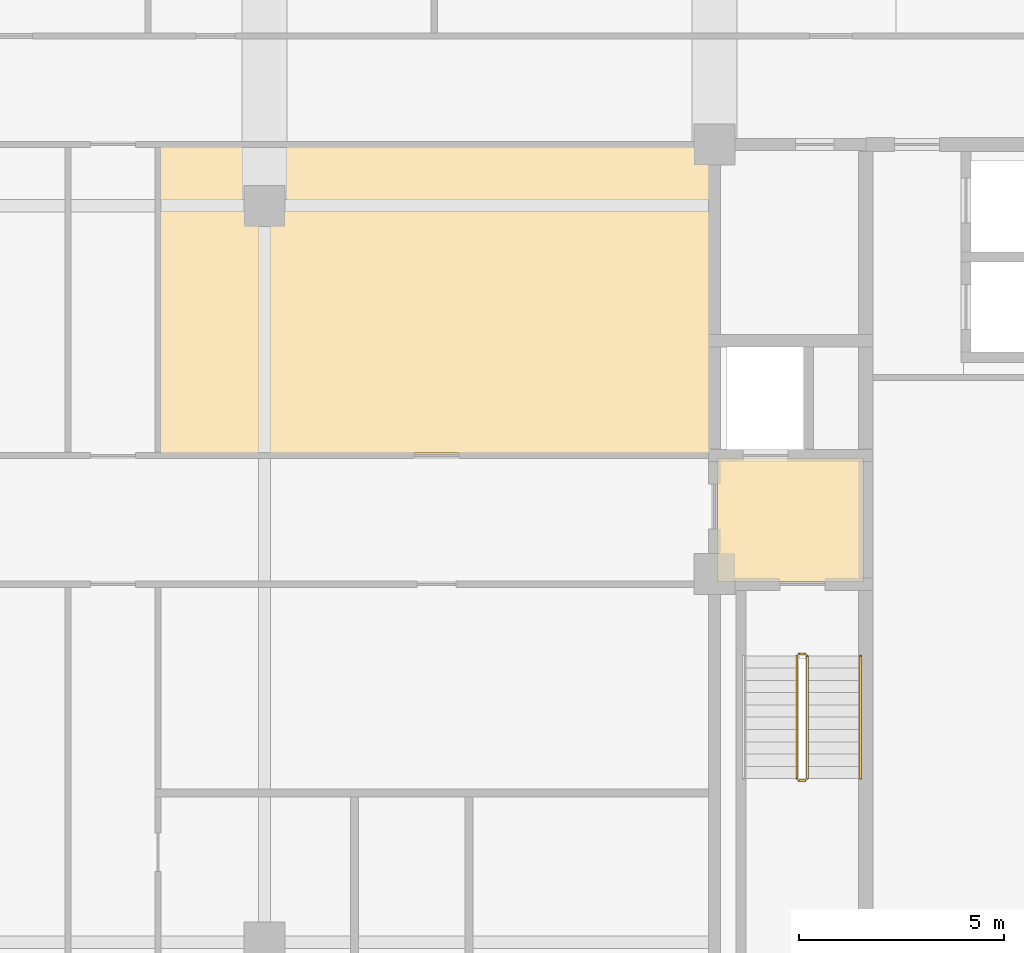
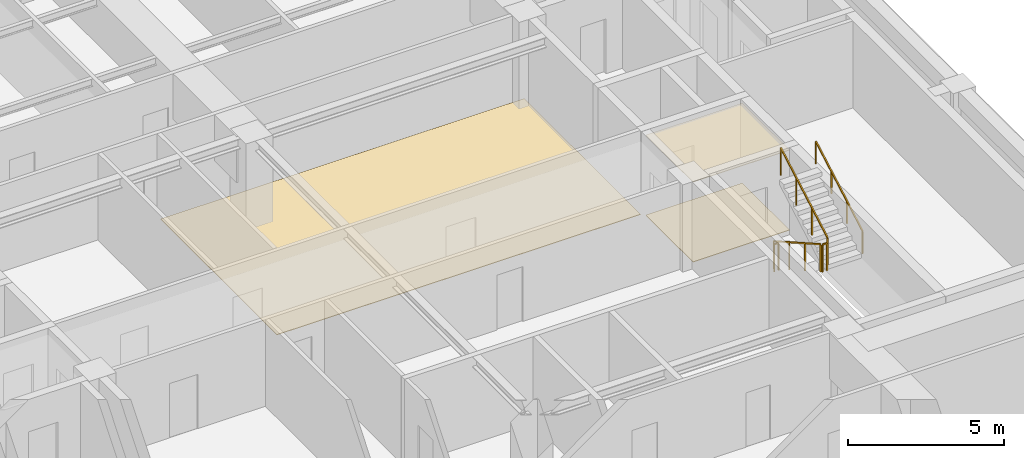
# One storey, part 10 of 11: 5 railings, 3 coverings.
"""IFC4 building model written with IfcOpenShell, lengths in metres."""

from ifc_helpers import new_model, si_unit, direction, frame, origin, origin_2d, place, context, subcontext, project, spatial, polyline, rectangle, outline, extrude, material, layer, layer_set, type_object, element, save


model = new_model("IFC4")

# Units and contexts
model_context = context("Model", 3, precision=1e-05, world=origin(), true_north=direction((0.0, 1.0)))
body_context = subcontext(model_context, "Body", "Model", "MODEL_VIEW")
ifc_project = project(units=[si_unit("LENGTHUNIT", "METRE"), si_unit("AREAUNIT", "SQUARE_METRE"), si_unit("VOLUMEUNIT", "CUBIC_METRE"), si_unit("PLANEANGLEUNIT", "RADIAN"), si_unit("MASSUNIT", "GRAM", prefix="KILO")], contexts=[model_context])

# Site, building, storey
site_placement = place(None, origin())
site = spatial("IfcSite", under=ifc_project, at=site_placement, CompositionType="ELEMENT")
building_placement = place(site_placement, origin())
building = spatial("IfcBuilding", under=site, at=building_placement, Name="Zulmaris Gate Convention Tower", CompositionType="ELEMENT")
storey_placement = place(building_placement, frame((0.0, 0.0, 278.06005859375)))
storey = spatial("IfcBuildingStorey", under=building, at=storey_placement, Name="L74", CompositionType="ELEMENT", Elevation=278.06005859375)

# Coverings
ifc_material_1 = material(Name="Mineral Fibre Acoustic Ceiling Tile")
ifc_layer_1 = layer(ifc_material_1, 0.02001953125, Name="Mineral Fibre Acoustic Ceiling Tile")
ifc_layer_set_1 = layer_set([ifc_layer_1], Name="Mineral Fibre Acoustic Ceiling Tile")
covering_type_1 = type_object("IfcCoveringType", Name="CLG-ACOUSTIC-600", PredefinedType="CEILING", material=ifc_layer_set_1)
covering_1_placement = place(storey_placement, frame((0.0, 0.0, 3.135009765625)))
element("IfcCovering", 1, at=covering_1_placement, inside=storey, type_object=covering_type_1, Name="CLG-L74-R08", PredefinedType="CEILING", context=body_context, shape_type="SweptSolid", body=[
    extrude(outline(polyline([(11.06005859375, -0.18994140625), (14.639892578125, -0.18994140625), (14.639892578125, 2.840087890625), (11.06005859375, 2.840087890625), (11.06005859375, -0.18994140625)])), origin(), (0.0, 0.0, 1.0), 0.02001953125),
])
ifc_material_2 = material(Name="Woven Acoustic Wool Carpet Tile")
ifc_layer_2 = layer(ifc_material_2, 0.02001953125, Name="Woven Acoustic Wool Carpet Tile")
ifc_layer_set_2 = layer_set([ifc_layer_2], Name="Woven Acoustic Wool Carpet Tile")
covering_type_2 = type_object("IfcCoveringType", Name="FLR-CARPET-12", PredefinedType="FLOORING", material=ifc_layer_set_2)
covering_2_placement = place(storey_placement, origin())
element("IfcCovering", 2, at=covering_2_placement, inside=storey, type_object=covering_type_2, Name="FLR-L74-R08", PredefinedType="FLOORING", context=body_context, shape_type="SweptSolid", body=[
    extrude(outline(polyline([(11.06005859375, -0.18994140625), (14.639892578125, -0.18994140625), (14.639892578125, 2.840087890625), (11.06005859375, 2.840087890625), (11.06005859375, -0.18994140625)])), origin(), (0.0, 0.0, 1.0), 0.02001953125),
])
covering_3_placement = place(storey_placement, origin())
element("IfcCovering", 3, at=covering_3_placement, inside=storey, type_object=covering_type_2, Name="FLR-L74-R40", PredefinedType="FLOORING", context=body_context, shape_type="SweptSolid", body=[
    extrude(outline(polyline([(-2.5400390625, 2.9599609375), (10.93994140625, 2.9599609375), (10.93994140625, 10.43994140625), (-2.5400390625, 10.43994140625), (-2.5400390625, 2.9599609375)])), origin(), (0.0, 0.0, 1.0), 0.02001953125),
])

# Railings
ifc_material_3 = material(Name="Painted Galvanised Steel", Category="steel")
railing_type_1 = type_object("IfcRailingType", Name="RL-STG-1150", PredefinedType="GUARDRAIL", material=ifc_material_3)
railing_1_placement = place(storey_placement, frame((13.010009765625, -2.0, 0.169921875)))
element("IfcRailing", 4, at=railing_1_placement, inside=storey, type_object=railing_type_1, Name="L74 ST-2 stair guard 1", PredefinedType="GUARDRAIL", context=body_context, shape_type="SweptSolid", body=[
    extrude(rectangle(XDim=0.048095703125, YDim=0.048095703125, at=origin_2d()), frame((0.0, 0.0, 1.076171875), z_axis=(0.0, -0.870028259722, 0.493001853226), x_axis=(1.0, 0.0, 0.0)), (0.0, 0.0, 1.0), 3.4482421875),
    extrude(rectangle(XDim=0.0419921875, YDim=0.0419921875, at=origin_2d()), origin(), (0.0, 0.0, 1.0), 1.052001953125),
    extrude(rectangle(XDim=0.0419921875, YDim=0.0419921875, at=origin_2d()), frame((0.0, -1.0, 0.566650390625)), (0.0, 0.0, 1.0), 1.052001953125),
    extrude(rectangle(XDim=0.0419921875, YDim=0.0419921875, at=origin_2d()), frame((0.0, -2.0, 1.13330078125)), (0.0, 0.0, 1.0), 1.052001953125),
    extrude(rectangle(XDim=0.0419921875, YDim=0.0419921875, at=origin_2d()), frame((0.0, -3.0, 1.699951171875)), (0.0, 0.0, 1.0), 1.052001953125),
])
railing_2_placement = place(storey_placement, frame((13.06005859375, -5.050048828125, 1.869873046875)))
element("IfcRailing", 5, at=railing_2_placement, inside=storey, type_object=railing_type_1, Name="L74 ST-2 stair guard 2", PredefinedType="GUARDRAIL", context=body_context, shape_type="SweptSolid", body=[
    extrude(rectangle(XDim=0.048095703125, YDim=0.048095703125, at=origin_2d()), frame((0.0, 0.0, 1.076171875), z_axis=(1.0, 0.0, 0.0), x_axis=(0.0, 1.0, 0.0)), (0.0, 0.0, 1.0), 0.159912109375),
    extrude(rectangle(XDim=0.0419921875, YDim=0.0419921875, at=origin_2d()), origin(), (0.0, 0.0, 1.0), 1.052001953125),
    extrude(rectangle(XDim=0.0419921875, YDim=0.0419921875, at=origin_2d()), frame((0.159912109375, 0.0, 0.0)), (0.0, 0.0, 1.0), 1.052001953125),
])
railing_3_placement = place(storey_placement, frame((13.27001953125, -5.0, 2.0400390625)))
element("IfcRailing", 6, at=railing_3_placement, inside=storey, type_object=railing_type_1, Name="L74 ST-2 stair guard 3", PredefinedType="GUARDRAIL", context=body_context, shape_type="SweptSolid", body=[
    extrude(rectangle(XDim=0.048095703125, YDim=0.048095703125, at=origin_2d()), frame((0.0, 0.0, 1.076171875), z_axis=(0.0, 0.870028259722, 0.493001853226), x_axis=(-1.0, 0.0, 0.0)), (0.0, 0.0, 1.0), 3.4482421875),
    extrude(rectangle(XDim=0.0419921875, YDim=0.0419921875, at=origin_2d()), origin(), (0.0, 0.0, 1.0), 1.052001953125),
    extrude(rectangle(XDim=0.0419921875, YDim=0.0419921875, at=origin_2d()), frame((0.0, 1.0, 0.566650390625)), (0.0, 0.0, 1.0), 1.052001953125),
    extrude(rectangle(XDim=0.0419921875, YDim=0.0419921875, at=origin_2d()), frame((0.0, 2.0, 1.13330078125)), (0.0, 0.0, 1.0), 1.052001953125),
    extrude(rectangle(XDim=0.0419921875, YDim=0.0419921875, at=origin_2d()), frame((0.0, 3.0, 1.699951171875)), (0.0, 0.0, 1.0), 1.052001953125),
])
railing_4_placement = place(storey_placement, frame((13.06005859375, -1.949951171875, 0.0)))
element("IfcRailing", 7, at=railing_4_placement, inside=storey, type_object=railing_type_1, Name="L74 ST-2 stair guard 4", PredefinedType="GUARDRAIL", context=body_context, shape_type="SweptSolid", body=[
    extrude(rectangle(XDim=0.048095703125, YDim=0.048095703125, at=origin_2d()), frame((0.0, 0.0, 1.076171875), z_axis=(1.0, 0.0, 0.0), x_axis=(0.0, 1.0, 0.0)), (0.0, 0.0, 1.0), 0.159912109375),
    extrude(rectangle(XDim=0.0419921875, YDim=0.0419921875, at=origin_2d()), origin(), (0.0, 0.0, 1.0), 1.052001953125),
    extrude(rectangle(XDim=0.0419921875, YDim=0.0419921875, at=origin_2d()), frame((0.159912109375, 0.0, 0.0)), (0.0, 0.0, 1.0), 1.052001953125),
])
ifc_material_4 = material(Name="Brushed Stainless Steel", Category="steel")
railing_type_2 = type_object("IfcRailingType", Name="RL-STH-900", PredefinedType="HANDRAIL", material=ifc_material_4)
railing_5_placement = place(storey_placement, frame((14.570068359375, -5.0, 2.0400390625)))
element("IfcRailing", 8, at=railing_5_placement, inside=storey, type_object=railing_type_2, Name="L74 ST-2 stair handrail 2", PredefinedType="HANDRAIL", context=body_context, shape_type="SweptSolid", body=[
    extrude(rectangle(XDim=0.048095703125, YDim=0.048095703125, at=origin_2d()), frame((0.0, 0.0, 0.8759765625), z_axis=(0.0, 0.870028259722, 0.493001853226), x_axis=(-1.0, 0.0, 0.0)), (0.0, 0.0, 1.0), 3.4482421875),
    extrude(rectangle(XDim=0.0419921875, YDim=0.0419921875, at=origin_2d()), origin(), (0.0, 0.0, 1.0), 0.851806640625),
    extrude(rectangle(XDim=0.0419921875, YDim=0.0419921875, at=origin_2d()), frame((0.0, 1.0, 0.566650390625)), (0.0, 0.0, 1.0), 0.851806640625),
    extrude(rectangle(XDim=0.0419921875, YDim=0.0419921875, at=origin_2d()), frame((0.0, 2.0, 1.13330078125)), (0.0, 0.0, 1.0), 0.851806640625),
    extrude(rectangle(XDim=0.0419921875, YDim=0.0419921875, at=origin_2d()), frame((0.0, 3.0, 1.699951171875)), (0.0, 0.0, 1.0), 0.851806640625),
])

save(model, "model.ifc")
